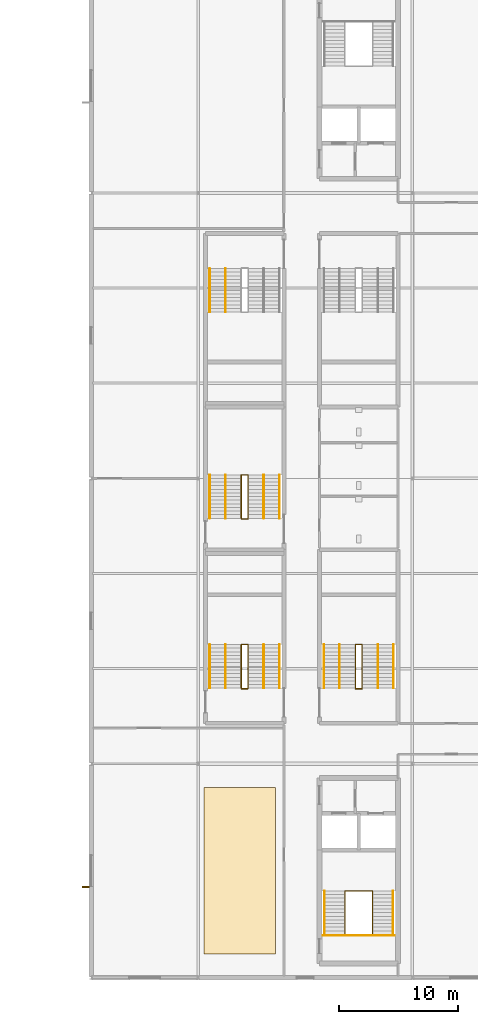
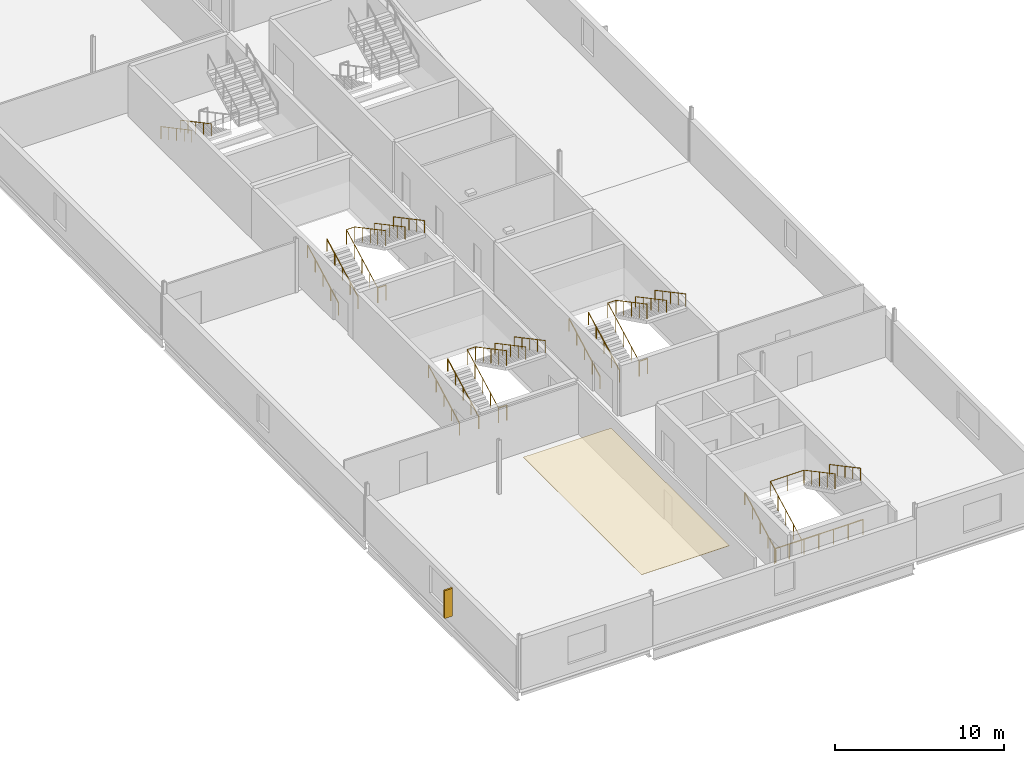
# One storey, part 33 of 35: 24 railings, 1 covering, 1 shading device.
"""IFC4 building model written with IfcOpenShell, lengths in metres."""

import ifcopenshell
import ifcopenshell.guid

model = None  # the IFC model being written
_history = None  # IfcOwnerHistory: only IFC2X3 demands one
_inside = {}  # id of a spatial element -> (the spatial element, [elements in it])
_under = {}  # id of a project, library or spatial element -> (it, [spatial elements below it])
_declared = {}  # id of a project -> (the project, [libraries it declares])
_typed = {}  # id of a type object -> (the type object, [elements of that type])
_made_of = {}  # id of a material, layer set ... -> (it, [elements and type objects made of it])


def new_model(schema):
    """Start an empty IFC model of exactly this schema.

    Asked for "IFC4X3", IfcOpenShell would pick the latest addendum, in which some entities
    have other attributes; the version numbers below select the first issue.
    IFC2X3 requires an IfcOwnerHistory on every rooted entity: one is made here for all.
    """
    global model, _history
    if schema == "IFC4X3":
        model = ifcopenshell.file(schema_version=(4, 3, 0, 0))
    else:
        model = ifcopenshell.file(schema=schema)
    _inside.clear()
    _under.clear()
    _declared.clear()
    _typed.clear()
    _made_of.clear()
    _history = None
    if model.schema == "IFC2X3":
        org = make("IfcOrganization", Name="unknown")
        user = make(
            "IfcPersonAndOrganization",
            ThePerson=make("IfcPerson", FamilyName="unknown"),
            TheOrganization=org,
        )
        app = make(
            "IfcApplication",
            ApplicationDeveloper=org,
            Version="unknown",
            ApplicationFullName="unknown",
            ApplicationIdentifier="unknown",
        )
        _history = make(
            "IfcOwnerHistory",
            OwningUser=user,
            OwningApplication=app,
            ChangeAction="ADDED",
            CreationDate=0,
        )
    return model


def make(cls, **values):
    """One entity of the class cls with the attributes given. An attribute that is None is left unset."""
    return model.create_entity(
        cls, **{name: value for name, value in values.items() if value is not None}
    )


def rooted(cls, **values):
    """An entity with a GlobalId (a new one), such as an element, a storey or a relation."""
    return make(cls, GlobalId=ifcopenshell.guid.new(), OwnerHistory=_history, **values)


def si_unit(unit_type, name, prefix=None):
    """IfcSIUnit, for example si_unit("LENGTHUNIT", "METRE", prefix="MILLI")."""
    return make("IfcSIUnit", UnitType=unit_type, Prefix=prefix, Name=name)


def assignment(units):
    """IfcUnitAssignment: the units of a project."""
    return None if units is None else make("IfcUnitAssignment", Units=units)


def point(xyz):
    """IfcCartesianPoint."""
    return None if xyz is None else make("IfcCartesianPoint", Coordinates=xyz)


def direction(xyz):
    """IfcDirection."""
    return None if xyz is None else make("IfcDirection", DirectionRatios=xyz)


def frame(location, z_axis=None, x_axis=None):
    """IfcAxis2Placement3D, a coordinate frame: its origin and axes. An axis left out is left unset."""
    return make(
        "IfcAxis2Placement3D",
        Location=point(location),
        Axis=direction(z_axis),
        RefDirection=direction(x_axis),
    )


def frame_2d(location, x_axis=None):
    """IfcAxis2Placement2D, a coordinate frame in the plane: its origin and x axis."""
    return make(
        "IfcAxis2Placement2D", Location=point(location), RefDirection=direction(x_axis)
    )


def origin():
    """The frame at (0, 0, 0) with its axes left unset."""
    return frame((0.0, 0.0, 0.0))


def origin_2d():
    """The frame at (0, 0) in the plane with its x axis left unset."""
    return frame_2d((0.0, 0.0))


def place(relative_to, where):
    """IfcLocalPlacement: puts the frame where relative to a parent placement (None: the world)."""
    return make(
        "IfcLocalPlacement", PlacementRelTo=relative_to, RelativePlacement=where
    )


def context(
    kind, dimensions, precision=None, world=None, true_north=None, identifier=None
):
    """IfcGeometricRepresentationContext, for example the 3D "Model" context."""
    return make(
        "IfcGeometricRepresentationContext",
        ContextIdentifier=identifier,
        ContextType=kind,
        CoordinateSpaceDimension=dimensions,
        Precision=precision,
        WorldCoordinateSystem=world,
        TrueNorth=true_north,
    )


def subcontext(parent, identifier, kind, view, scale=None):
    """IfcGeometricRepresentationSubContext, for example "Body" below "Model"."""
    return make(
        "IfcGeometricRepresentationSubContext",
        ContextIdentifier=identifier,
        ContextType=kind,
        ParentContext=parent,
        TargetScale=scale,
        TargetView=view,
    )


def project(units=None, contexts=None):
    """IfcProject with its units and contexts."""
    return rooted(
        "IfcProject",
        Name="project",
        RepresentationContexts=contexts,
        UnitsInContext=assignment(units),
    )


def spatial(cls, under=None, at=None, **own):
    """A site, building, storey or space (cls), placed at a placement, below another one or the project."""
    s = rooted(cls, ObjectPlacement=at, **own)
    if under is not None:
        _under.setdefault(under.id(), (under, []))[1].append(s)
    return s


def polyline(points):
    """IfcPolyline through the points."""
    return make("IfcPolyline", Points=[point(p) for p in points])


def profile(cls, at=None, kind="AREA", **sizes):
    """A parametric profile (cls). Its sizes go by their IFC names, for example OverallWidth=200.0."""
    return make(cls, ProfileType=kind, Position=at, **sizes)


def rectangle(**sizes):
    """IfcRectangleProfileDef."""
    return profile("IfcRectangleProfileDef", **sizes)


def circle(**sizes):
    """IfcCircleProfileDef."""
    return profile("IfcCircleProfileDef", **sizes)


def outline(outer, holes=None, kind="AREA"):
    """IfcArbitraryClosedProfileDef: a profile drawn as a closed curve; with holes, ...WithVoids."""
    if holes is None:
        return make("IfcArbitraryClosedProfileDef", ProfileType=kind, OuterCurve=outer)
    return make(
        "IfcArbitraryProfileDefWithVoids",
        ProfileType=kind,
        OuterCurve=outer,
        InnerCurves=holes,
    )


def extrude(swept, where, along, depth):
    """IfcExtrudedAreaSolid: the profile swept, set in the frame where, extruded along a direction by depth."""
    return make(
        "IfcExtrudedAreaSolid",
        SweptArea=swept,
        Position=where,
        ExtrudedDirection=direction(along),
        Depth=depth,
    )


def shape(context_of_items, identifier, shape_type, items):
    """IfcShapeRepresentation: the items that make up one representation, for example the "Body"."""
    return make(
        "IfcShapeRepresentation",
        ContextOfItems=context_of_items,
        RepresentationIdentifier=identifier,
        RepresentationType=shape_type,
        Items=items,
    )


def material(Name=None, Category=None):
    """IfcMaterial."""
    return make("IfcMaterial", Name=Name, Category=Category)


def layer(
    of_material, thickness, ventilated=None, Name=None, Category=None, Priority=None
):
    """IfcMaterialLayer: one layer of a wall or slab, of a material (None: an air gap)."""
    return make(
        "IfcMaterialLayer",
        Material=of_material,
        LayerThickness=thickness,
        IsVentilated=ventilated,
        Name=Name,
        Category=Category,
        Priority=Priority,
    )


def layer_set(layers, Name=None):
    """IfcMaterialLayerSet."""
    return make("IfcMaterialLayerSet", MaterialLayers=layers, LayerSetName=Name)


def made_of(thing, what):
    """Note that an element or type object is made of a material, layer set ...; save() writes the relation."""
    if what is not None:
        _made_of.setdefault(what.id(), (what, []))[1].append(thing)
    return thing


def type_object(cls, material=None, **own):
    """A type object (cls), such as IfcWallType, which elements share."""
    return made_of(rooted(cls, **own), material)


def element(
    cls,
    number,
    at=None,
    inside=None,
    cuts=None,
    type_object=None,
    material=None,
    context=None,
    identifier="Body",
    shape_type=None,
    held_by="IfcProductDefinitionShape",
    body=None,
    shapes=None,
    **own,
):
    """One element of the class cls, such as IfcWall. Its Tag is "e" and its number.

    at: its placement. inside: the storey or other place that contains it. cuts: it is an
    opening in that element (IfcRelVoidsElement). A single representation is given by context,
    identifier, shape_type and body (its items); several are given by shapes. held_by: the class
    of the entity that holds the representations. save() writes the other relations.
    """
    e = rooted(cls, Tag="e%d" % number, ObjectPlacement=at, **own)
    if body is not None:
        shapes = [shape(context, identifier, shape_type, body)]
    if shapes is not None:
        e.Representation = make(held_by, Representations=shapes)
    if inside is not None:
        _inside.setdefault(inside.id(), (inside, []))[1].append(e)
    if cuts is not None:
        rooted(
            "IfcRelVoidsElement", RelatingBuildingElement=cuts, RelatedOpeningElement=e
        )
    if type_object is not None:
        _typed.setdefault(type_object.id(), (type_object, []))[1].append(e)
    return made_of(e, material)


def aggregate(whole, parts):
    """IfcRelAggregates: a whole, such as a stair, and the parts it consists of."""
    return rooted("IfcRelAggregates", RelatingObject=whole, RelatedObjects=parts)


def save(model, path):
    """Write the relations noted so far, then the file.

    IfcRelAggregates (storeys below a building ...), IfcRelContainedInSpatialStructure (elements
    in a storey), IfcRelDefinesByType, IfcRelAssociatesMaterial and IfcRelDeclares: one each for
    every whole, place, type object, material and project.
    """
    for whole, parts in _under.values():
        aggregate(whole, parts)
    for where, things in _inside.values():
        rooted(
            "IfcRelContainedInSpatialStructure",
            RelatedElements=things,
            RelatingStructure=where,
        )
    for kind, things in _typed.values():
        rooted("IfcRelDefinesByType", RelatedObjects=things, RelatingType=kind)
    for what, things in _made_of.values():
        rooted("IfcRelAssociatesMaterial", RelatedObjects=things, RelatingMaterial=what)
    for by, libraries in _declared.values():
        rooted("IfcRelDeclares", RelatingContext=by, RelatedDefinitions=libraries)
    model.write(path)


model = new_model("IFC4")

# Units and contexts
model_context = context("Model", 3, precision=1e-05, world=origin(), true_north=direction((0.0, 1.0)))
body_context = subcontext(model_context, "Body", "Model", "MODEL_VIEW")
ifc_project = project(units=[si_unit("LENGTHUNIT", "METRE"), si_unit("AREAUNIT", "SQUARE_METRE"), si_unit("VOLUMEUNIT", "CUBIC_METRE"), si_unit("PLANEANGLEUNIT", "RADIAN"), si_unit("MASSUNIT", "GRAM", prefix="KILO")], contexts=[model_context])

# Site, building, storey
site_placement = place(None, origin())
site = spatial("IfcSite", under=ifc_project, at=site_placement, CompositionType="ELEMENT")
building_placement = place(site_placement, origin())
building = spatial("IfcBuilding", under=site, at=building_placement, Name="Kisiwana Market Hall", CompositionType="ELEMENT")
storey_placement = place(building_placement, frame((0.0, 0.0, 57.89990234375)))
storey = spatial("IfcBuildingStorey", under=building, at=storey_placement, Name="L13", CompositionType="ELEMENT", Elevation=57.89990234375)

# Covering
ifc_material_1 = material(Name="Mineral-fibre acoustic ceiling board")
ifc_layer = layer(ifc_material_1, 0.02490234375)
ifc_layer_set = layer_set([ifc_layer], Name="COV-CEIL-AC")
covering_type = type_object("IfcCoveringType", Name="COV-CEIL-AC", PredefinedType="CEILING", material=ifc_layer_set)
covering_placement = place(storey_placement, frame((0.0, 0.0, 3.630126953125)))
element("IfcCovering", 1, at=covering_placement, inside=storey, type_object=covering_type, Name="Acoustic ceiling grid L13-030", PredefinedType="CEILING", context=body_context, shape_type="SweptSolid", body=[
    extrude(outline(polyline([(171.5, 20.0), (177.5, 20.0), (177.5, 34.0), (171.5, 34.0), (171.5, 20.0)])), origin(), (0.0, 0.0, 1.0), 0.02490234375),
])

# Railings
ifc_material_2 = material(Name="Steel S275", Category="steel")
railing_type_1 = type_object("IfcRailingType", Name="RL-GUARD-1100", PredefinedType="GUARDRAIL", material=ifc_material_2)
railing_1_placement = place(storey_placement, frame((183.35009765625, 21.6494140625, 0.0)))
element("IfcRailing", 2, at=railing_1_placement, inside=storey, type_object=railing_type_1, Name="Stair ST-E2-L13 inner-well guardrail (RL-1519)", PredefinedType="GUARDRAIL", context=body_context, shape_type="SweptSolid", body=[
    extrude(circle(Radius=0.02392578125, at=origin_2d()), frame((0.0, 0.0, 1.076171875), z_axis=(0.0, 0.882541897885, 0.470233770031), x_axis=(-1.0, 0.0, 0.0)), (0.0, 0.0, 1.0), 4.147216796875),
    extrude(circle(Radius=0.02392578125, at=origin_2d()), frame((0.0, 3.66015625, 3.0263671875), z_axis=(1.0, 0.0, 0.0), x_axis=(0.0, 1.0, 0.0)), (0.0, 0.0, 1.0), 2.2998046875),
    extrude(circle(Radius=0.02392578125, at=origin_2d()), frame((2.2998046875, 3.66015625, 3.0263671875), z_axis=(0.0, -0.882566327451, 0.470187917379), x_axis=(1.0, 0.0, 0.0)), (0.0, 0.0, 1.0), 4.147216796875),
    extrude(circle(Radius=0.02099609375, at=origin_2d()), origin(), (0.0, 0.0, 1.0), 1.052001953125),
    extrude(circle(Radius=0.02099609375, at=origin_2d()), frame((0.0, 0.9150390625, 0.487548828125)), (0.0, 0.0, 1.0), 1.052001953125),
    extrude(circle(Radius=0.02099609375, at=origin_2d()), frame((0.0, 1.830078125, 0.97509765625)), (0.0, 0.0, 1.0), 1.052001953125),
    extrude(circle(Radius=0.02099609375, at=origin_2d()), frame((0.0, 2.7451171875, 1.462646484375)), (0.0, 0.0, 1.0), 1.052001953125),
    extrude(circle(Radius=0.02099609375, at=origin_2d()), frame((0.0, 3.66015625, 1.9501953125)), (0.0, 0.0, 1.0), 1.052001953125),
    extrude(circle(Radius=0.02099609375, at=origin_2d()), frame((1.14990234375, 3.66015625, 1.9501953125)), (0.0, 0.0, 1.0), 1.052001953125),
    extrude(circle(Radius=0.02099609375, at=origin_2d()), frame((2.2998046875, 3.66015625, 1.9501953125)), (0.0, 0.0, 1.0), 1.052001953125),
    extrude(circle(Radius=0.02099609375, at=origin_2d()), frame((2.2998046875, 2.7451171875, 2.437744140625)), (0.0, 0.0, 1.0), 1.052001953125),
    extrude(circle(Radius=0.02099609375, at=origin_2d()), frame((2.2998046875, 1.830078125, 2.92529296875)), (0.0, 0.0, 1.0), 1.052001953125),
    extrude(circle(Radius=0.02099609375, at=origin_2d()), frame((2.2998046875, 0.9150390625, 3.41259765625)), (0.0, 0.0, 1.0), 1.052001953125),
    extrude(circle(Radius=0.02099609375, at=origin_2d()), frame((2.2998046875, 0.0, 3.900146484375)), (0.0, 0.0, 1.0), 1.052001953125),
])
railing_2_placement = place(storey_placement, frame((181.47998046875, 21.569580078125, 0.0)))
element("IfcRailing", 3, at=railing_2_placement, inside=storey, type_object=railing_type_1, Name="Stair ST-E2-L13 landing edge guardrail (RL-1522)", PredefinedType="GUARDRAIL", context=body_context, shape_type="SweptSolid", body=[
    extrude(circle(Radius=0.02392578125, at=origin_2d()), frame((0.0, 0.0, 1.076171875), z_axis=(1.0, 0.0, 0.0), x_axis=(0.0, 1.0, 0.0)), (0.0, 0.0, 1.0), 6.0400390625),
    extrude(circle(Radius=0.02099609375, at=origin_2d()), origin(), (0.0, 0.0, 1.0), 1.052001953125),
    extrude(circle(Radius=0.02099609375, at=origin_2d()), frame((1.006591796875, 0.0, 0.0)), (0.0, 0.0, 1.0), 1.052001953125),
    extrude(circle(Radius=0.02099609375, at=origin_2d()), frame((2.013427734375, 0.0, 0.0)), (0.0, 0.0, 1.0), 1.052001953125),
    extrude(circle(Radius=0.02099609375, at=origin_2d()), frame((3.02001953125, 0.0, 0.0)), (0.0, 0.0, 1.0), 1.052001953125),
    extrude(circle(Radius=0.02099609375, at=origin_2d()), frame((4.026611328125, 0.0, 0.0)), (0.0, 0.0, 1.0), 1.052001953125),
    extrude(circle(Radius=0.02099609375, at=origin_2d()), frame((5.033447265625, 0.0, 0.0)), (0.0, 0.0, 1.0), 1.052001953125),
    extrude(circle(Radius=0.02099609375, at=origin_2d()), frame((6.0400390625, 0.0, 0.0)), (0.0, 0.0, 1.0), 1.052001953125),
])
railing_3_placement = place(storey_placement, frame((184.219970703125, 42.360107421875, 0.0)))
element("IfcRailing", 4, at=railing_3_placement, inside=storey, type_object=railing_type_1, Name="Stair ST-E3-L13 inner-well guardrail (RL-1539)", PredefinedType="GUARDRAIL", context=body_context, shape_type="SweptSolid", body=[
    extrude(circle(Radius=0.02392578125, at=origin_2d()), frame((0.0, 0.0, 1.076171875), z_axis=(0.0, 0.882528880096, 0.470258201201), x_axis=(-1.0, 0.0, 0.0)), (0.0, 0.0, 1.0), 4.14697265625),
    extrude(circle(Radius=0.02392578125, at=origin_2d()), frame((0.0, 3.659912109375, 3.0263671875), z_axis=(1.0, 0.0, 0.0), x_axis=(0.0, 1.0, 0.0)), (0.0, 0.0, 1.0), 0.56005859375),
    extrude(circle(Radius=0.02392578125, at=origin_2d()), frame((0.56005859375, 3.659912109375, 3.0263671875), z_axis=(0.0, -0.88255331184, 0.47021234752), x_axis=(1.0, 0.0, 0.0)), (0.0, 0.0, 1.0), 4.14697265625),
    extrude(circle(Radius=0.02099609375, at=origin_2d()), origin(), (0.0, 0.0, 1.0), 1.052001953125),
    extrude(circle(Radius=0.02099609375, at=origin_2d()), frame((0.0, 0.9150390625, 0.487548828125)), (0.0, 0.0, 1.0), 1.052001953125),
    extrude(circle(Radius=0.02099609375, at=origin_2d()), frame((0.0, 1.830078125, 0.97509765625)), (0.0, 0.0, 1.0), 1.052001953125),
    extrude(circle(Radius=0.02099609375, at=origin_2d()), frame((0.0, 2.744873046875, 1.462646484375)), (0.0, 0.0, 1.0), 1.052001953125),
    extrude(circle(Radius=0.02099609375, at=origin_2d()), frame((0.0, 3.659912109375, 1.9501953125)), (0.0, 0.0, 1.0), 1.052001953125),
    extrude(circle(Radius=0.02099609375, at=origin_2d()), frame((0.56005859375, 3.659912109375, 1.9501953125)), (0.0, 0.0, 1.0), 1.052001953125),
    extrude(circle(Radius=0.02099609375, at=origin_2d()), frame((0.56005859375, 2.744873046875, 2.437744140625)), (0.0, 0.0, 1.0), 1.052001953125),
    extrude(circle(Radius=0.02099609375, at=origin_2d()), frame((0.56005859375, 1.830078125, 2.92529296875)), (0.0, 0.0, 1.0), 1.052001953125),
    extrude(circle(Radius=0.02099609375, at=origin_2d()), frame((0.56005859375, 0.9150390625, 3.41259765625)), (0.0, 0.0, 1.0), 1.052001953125),
    extrude(circle(Radius=0.02099609375, at=origin_2d()), frame((0.56005859375, 0.0, 3.900146484375)), (0.0, 0.0, 1.0), 1.052001953125),
])
railing_4_placement = place(storey_placement, frame((184.219970703125, 42.31005859375, 0.0)))
element("IfcRailing", 5, at=railing_4_placement, inside=storey, type_object=railing_type_1, Name="Stair ST-E3-L13 landing edge guardrail (RL-1544)", PredefinedType="GUARDRAIL", context=body_context, shape_type="SweptSolid", body=[
    extrude(circle(Radius=0.02392578125, at=origin_2d()), frame((0.0, 0.0, 1.076171875), z_axis=(1.0, 0.0, 0.0), x_axis=(0.0, 1.0, 0.0)), (0.0, 0.0, 1.0), 0.56005859375),
    extrude(circle(Radius=0.02099609375, at=origin_2d()), origin(), (0.0, 0.0, 1.0), 1.052001953125),
    extrude(circle(Radius=0.02099609375, at=origin_2d()), frame((0.56005859375, 0.0, 0.0)), (0.0, 0.0, 1.0), 1.052001953125),
])
railing_5_placement = place(storey_placement, frame((174.6201171875, 42.360107421875, 0.0)))
element("IfcRailing", 6, at=railing_5_placement, inside=storey, type_object=railing_type_1, Name="Stair ST-E7-L13 inner-well guardrail (RL-1557)", PredefinedType="GUARDRAIL", context=body_context, shape_type="SweptSolid", body=[
    extrude(circle(Radius=0.02392578125, at=origin_2d()), frame((0.0, 0.0, 1.076171875), z_axis=(0.0, 0.882528880096, 0.470258201201), x_axis=(-1.0, 0.0, 0.0)), (0.0, 0.0, 1.0), 4.14697265625),
    extrude(circle(Radius=0.02392578125, at=origin_2d()), frame((0.0, 3.659912109375, 3.0263671875), z_axis=(1.0, 0.0, 0.0), x_axis=(0.0, 1.0, 0.0)), (0.0, 0.0, 1.0), 0.559814453125),
    extrude(circle(Radius=0.02392578125, at=origin_2d()), frame((0.559814453125, 3.659912109375, 3.0263671875), z_axis=(0.0, -0.88255331184, 0.47021234752), x_axis=(1.0, 0.0, 0.0)), (0.0, 0.0, 1.0), 4.14697265625),
    extrude(circle(Radius=0.02099609375, at=origin_2d()), origin(), (0.0, 0.0, 1.0), 1.052001953125),
    extrude(circle(Radius=0.02099609375, at=origin_2d()), frame((0.0, 0.9150390625, 0.487548828125)), (0.0, 0.0, 1.0), 1.052001953125),
    extrude(circle(Radius=0.02099609375, at=origin_2d()), frame((0.0, 1.830078125, 0.97509765625)), (0.0, 0.0, 1.0), 1.052001953125),
    extrude(circle(Radius=0.02099609375, at=origin_2d()), frame((0.0, 2.744873046875, 1.462646484375)), (0.0, 0.0, 1.0), 1.052001953125),
    extrude(circle(Radius=0.02099609375, at=origin_2d()), frame((0.0, 3.659912109375, 1.9501953125)), (0.0, 0.0, 1.0), 1.052001953125),
    extrude(circle(Radius=0.02099609375, at=origin_2d()), frame((0.559814453125, 3.659912109375, 1.9501953125)), (0.0, 0.0, 1.0), 1.052001953125),
    extrude(circle(Radius=0.02099609375, at=origin_2d()), frame((0.559814453125, 2.744873046875, 2.437744140625)), (0.0, 0.0, 1.0), 1.052001953125),
    extrude(circle(Radius=0.02099609375, at=origin_2d()), frame((0.559814453125, 1.830078125, 2.92529296875)), (0.0, 0.0, 1.0), 1.052001953125),
    extrude(circle(Radius=0.02099609375, at=origin_2d()), frame((0.559814453125, 0.9150390625, 3.41259765625)), (0.0, 0.0, 1.0), 1.052001953125),
    extrude(circle(Radius=0.02099609375, at=origin_2d()), frame((0.559814453125, 0.0, 3.900146484375)), (0.0, 0.0, 1.0), 1.052001953125),
])
railing_6_placement = place(storey_placement, frame((174.6201171875, 42.31005859375, 0.0)))
element("IfcRailing", 7, at=railing_6_placement, inside=storey, type_object=railing_type_1, Name="Stair ST-E7-L13 landing edge guardrail (RL-1562)", PredefinedType="GUARDRAIL", context=body_context, shape_type="SweptSolid", body=[
    extrude(circle(Radius=0.02392578125, at=origin_2d()), frame((0.0, 0.0, 1.076171875), z_axis=(1.0, 0.0, 0.0), x_axis=(0.0, 1.0, 0.0)), (0.0, 0.0, 1.0), 0.559814453125),
    extrude(circle(Radius=0.02099609375, at=origin_2d()), origin(), (0.0, 0.0, 1.0), 1.052001953125),
    extrude(circle(Radius=0.02099609375, at=origin_2d()), frame((0.559814453125, 0.0, 0.0)), (0.0, 0.0, 1.0), 1.052001953125),
])
railing_7_placement = place(storey_placement, frame((174.6201171875, 56.639892578125, 0.0)))
element("IfcRailing", 8, at=railing_7_placement, inside=storey, type_object=railing_type_1, Name="Stair ST-E5-L13 inner-well guardrail (RL-1581)", PredefinedType="GUARDRAIL", context=body_context, shape_type="SweptSolid", body=[
    extrude(circle(Radius=0.02392578125, at=origin_2d()), frame((0.0, 0.0, 1.076171875), z_axis=(0.0, 0.882541897885, 0.470233770031), x_axis=(-1.0, 0.0, 0.0)), (0.0, 0.0, 1.0), 4.147216796875),
    extrude(circle(Radius=0.02392578125, at=origin_2d()), frame((0.0, 3.66015625, 3.0263671875), z_axis=(1.0, 0.0, 0.0), x_axis=(0.0, 1.0, 0.0)), (0.0, 0.0, 1.0), 0.559814453125),
    extrude(circle(Radius=0.02392578125, at=origin_2d()), frame((0.559814453125, 3.66015625, 3.0263671875), z_axis=(0.0, -0.882566327451, 0.470187917379), x_axis=(1.0, 0.0, 0.0)), (0.0, 0.0, 1.0), 4.147216796875),
    extrude(circle(Radius=0.02099609375, at=origin_2d()), origin(), (0.0, 0.0, 1.0), 1.052001953125),
    extrude(circle(Radius=0.02099609375, at=origin_2d()), frame((0.0, 0.9150390625, 0.487548828125)), (0.0, 0.0, 1.0), 1.052001953125),
    extrude(circle(Radius=0.02099609375, at=origin_2d()), frame((0.0, 1.830078125, 0.97509765625)), (0.0, 0.0, 1.0), 1.052001953125),
    extrude(circle(Radius=0.02099609375, at=origin_2d()), frame((0.0, 2.7451171875, 1.462646484375)), (0.0, 0.0, 1.0), 1.052001953125),
    extrude(circle(Radius=0.02099609375, at=origin_2d()), frame((0.0, 3.66015625, 1.9501953125)), (0.0, 0.0, 1.0), 1.052001953125),
    extrude(circle(Radius=0.02099609375, at=origin_2d()), frame((0.559814453125, 3.66015625, 1.9501953125)), (0.0, 0.0, 1.0), 1.052001953125),
    extrude(circle(Radius=0.02099609375, at=origin_2d()), frame((0.559814453125, 2.7451171875, 2.437744140625)), (0.0, 0.0, 1.0), 1.052001953125),
    extrude(circle(Radius=0.02099609375, at=origin_2d()), frame((0.559814453125, 1.830078125, 2.92529296875)), (0.0, 0.0, 1.0), 1.052001953125),
    extrude(circle(Radius=0.02099609375, at=origin_2d()), frame((0.559814453125, 0.9150390625, 3.41259765625)), (0.0, 0.0, 1.0), 1.052001953125),
    extrude(circle(Radius=0.02099609375, at=origin_2d()), frame((0.559814453125, 0.0, 3.900146484375)), (0.0, 0.0, 1.0), 1.052001953125),
])
railing_8_placement = place(storey_placement, frame((174.6201171875, 56.590087890625, 0.0)))
element("IfcRailing", 9, at=railing_8_placement, inside=storey, type_object=railing_type_1, Name="Stair ST-E5-L13 landing edge guardrail (RL-1586)", PredefinedType="GUARDRAIL", context=body_context, shape_type="SweptSolid", body=[
    extrude(circle(Radius=0.02392578125, at=origin_2d()), frame((0.0, 0.0, 1.076171875), z_axis=(1.0, 0.0, 0.0), x_axis=(0.0, 1.0, 0.0)), (0.0, 0.0, 1.0), 0.559814453125),
    extrude(circle(Radius=0.02099609375, at=origin_2d()), origin(), (0.0, 0.0, 1.0), 1.052001953125),
    extrude(circle(Radius=0.02099609375, at=origin_2d()), frame((0.559814453125, 0.0, 0.0)), (0.0, 0.0, 1.0), 1.052001953125),
])
ifc_material_3 = material(Name="Steel S275", Category="steel")
railing_type_2 = type_object("IfcRailingType", Name="RL-HAND-900", PredefinedType="HANDRAIL", material=ifc_material_3)
railing_9_placement = place(storey_placement, frame((181.610107421875, 21.6494140625, 0.0)))
element("IfcRailing", 10, at=railing_9_placement, inside=storey, type_object=railing_type_2, Name="Stair ST-E2-L13 flight 1 handrail (RL-1520)", PredefinedType="HANDRAIL", context=body_context, shape_type="SweptSolid", body=[
    extrude(circle(Radius=0.02392578125, at=origin_2d()), frame((0.0, 0.0, 0.8759765625), z_axis=(0.0, 0.882541897885, 0.470233770031), x_axis=(-1.0, 0.0, 0.0)), (0.0, 0.0, 1.0), 4.147216796875),
    extrude(circle(Radius=0.02099609375, at=origin_2d()), origin(), (0.0, 0.0, 1.0), 0.851806640625),
    extrude(circle(Radius=0.02099609375, at=origin_2d()), frame((0.0, 0.9150390625, 0.487548828125)), (0.0, 0.0, 1.0), 0.851806640625),
    extrude(circle(Radius=0.02099609375, at=origin_2d()), frame((0.0, 1.830078125, 0.97509765625)), (0.0, 0.0, 1.0), 0.851806640625),
    extrude(circle(Radius=0.02099609375, at=origin_2d()), frame((0.0, 2.7451171875, 1.462646484375)), (0.0, 0.0, 1.0), 0.851806640625),
    extrude(circle(Radius=0.02099609375, at=origin_2d()), frame((0.0, 3.66015625, 1.9501953125)), (0.0, 0.0, 1.0), 0.851806640625),
])
railing_10_placement = place(storey_placement, frame((187.389892578125, 25.3095703125, 1.9501953125)))
element("IfcRailing", 11, at=railing_10_placement, inside=storey, type_object=railing_type_2, Name="Stair ST-E2-L13 flight 2 handrail (RL-1521)", PredefinedType="HANDRAIL", context=body_context, shape_type="SweptSolid", body=[
    extrude(circle(Radius=0.02392578125, at=origin_2d()), frame((0.0, 0.0, 0.8759765625), z_axis=(0.0, -0.882566327451, 0.470187917379), x_axis=(1.0, 0.0, 0.0)), (0.0, 0.0, 1.0), 4.147216796875),
    extrude(circle(Radius=0.02099609375, at=origin_2d()), origin(), (0.0, 0.0, 1.0), 0.851806640625),
    extrude(circle(Radius=0.02099609375, at=origin_2d()), frame((0.0, -0.9150390625, 0.487548828125)), (0.0, 0.0, 1.0), 0.851806640625),
    extrude(circle(Radius=0.02099609375, at=origin_2d()), frame((0.0, -1.830078125, 0.97509765625)), (0.0, 0.0, 1.0), 0.851806640625),
    extrude(circle(Radius=0.02099609375, at=origin_2d()), frame((0.0, -2.7451171875, 1.46240234375)), (0.0, 0.0, 1.0), 0.851806640625),
    extrude(circle(Radius=0.02099609375, at=origin_2d()), frame((0.0, -3.66015625, 1.949951171875)), (0.0, 0.0, 1.0), 0.851806640625),
])
railing_11_placement = place(storey_placement, frame((181.570068359375, 42.360107421875, 0.0)))
element("IfcRailing", 12, at=railing_11_placement, inside=storey, type_object=railing_type_2, Name="Stair ST-E3-L13 flight 1 handrail (RL-1540)", PredefinedType="HANDRAIL", context=body_context, shape_type="SweptSolid", body=[
    extrude(circle(Radius=0.02392578125, at=origin_2d()), frame((0.0, 0.0, 0.8759765625), z_axis=(0.0, 0.882528880096, 0.470258201201), x_axis=(-1.0, 0.0, 0.0)), (0.0, 0.0, 1.0), 4.14697265625),
    extrude(circle(Radius=0.02099609375, at=origin_2d()), origin(), (0.0, 0.0, 1.0), 0.851806640625),
    extrude(circle(Radius=0.02099609375, at=origin_2d()), frame((0.0, 0.9150390625, 0.487548828125)), (0.0, 0.0, 1.0), 0.851806640625),
    extrude(circle(Radius=0.02099609375, at=origin_2d()), frame((0.0, 1.830078125, 0.97509765625)), (0.0, 0.0, 1.0), 0.851806640625),
    extrude(circle(Radius=0.02099609375, at=origin_2d()), frame((0.0, 2.744873046875, 1.462646484375)), (0.0, 0.0, 1.0), 0.851806640625),
    extrude(circle(Radius=0.02099609375, at=origin_2d()), frame((0.0, 3.659912109375, 1.9501953125)), (0.0, 0.0, 1.0), 0.851806640625),
])
railing_12_placement = place(storey_placement, frame((187.429931640625, 46.02001953125, 1.9501953125)))
element("IfcRailing", 13, at=railing_12_placement, inside=storey, type_object=railing_type_2, Name="Stair ST-E3-L13 flight 2 handrail (RL-1541)", PredefinedType="HANDRAIL", context=body_context, shape_type="SweptSolid", body=[
    extrude(circle(Radius=0.02392578125, at=origin_2d()), frame((0.0, 0.0, 0.8759765625), z_axis=(0.0, -0.88255331184, 0.47021234752), x_axis=(1.0, 0.0, 0.0)), (0.0, 0.0, 1.0), 4.14697265625),
    extrude(circle(Radius=0.02099609375, at=origin_2d()), origin(), (0.0, 0.0, 1.0), 0.851806640625),
    extrude(circle(Radius=0.02099609375, at=origin_2d()), frame((0.0, -0.9150390625, 0.487548828125)), (0.0, 0.0, 1.0), 0.851806640625),
    extrude(circle(Radius=0.02099609375, at=origin_2d()), frame((0.0, -1.830078125, 0.97509765625)), (0.0, 0.0, 1.0), 0.851806640625),
    extrude(circle(Radius=0.02099609375, at=origin_2d()), frame((0.0, -2.744873046875, 1.46240234375)), (0.0, 0.0, 1.0), 0.851806640625),
    extrude(circle(Radius=0.02099609375, at=origin_2d()), frame((0.0, -3.659912109375, 1.949951171875)), (0.0, 0.0, 1.0), 0.851806640625),
])
railing_13_placement = place(storey_placement, frame((182.889892578125, 42.360107421875, 0.0)))
element("IfcRailing", 14, at=railing_13_placement, inside=storey, type_object=railing_type_2, Name="Stair ST-E3-L13 flight 1 intermediate handrail (RL-1542)", PredefinedType="HANDRAIL", context=body_context, shape_type="SweptSolid", body=[
    extrude(circle(Radius=0.02392578125, at=origin_2d()), frame((0.0, 0.0, 0.8759765625), z_axis=(0.0, 0.882528880096, 0.470258201201), x_axis=(-1.0, 0.0, 0.0)), (0.0, 0.0, 1.0), 4.14697265625),
    extrude(circle(Radius=0.02099609375, at=origin_2d()), origin(), (0.0, 0.0, 1.0), 0.851806640625),
    extrude(circle(Radius=0.02099609375, at=origin_2d()), frame((0.0, 0.9150390625, 0.487548828125)), (0.0, 0.0, 1.0), 0.851806640625),
    extrude(circle(Radius=0.02099609375, at=origin_2d()), frame((0.0, 1.830078125, 0.97509765625)), (0.0, 0.0, 1.0), 0.851806640625),
    extrude(circle(Radius=0.02099609375, at=origin_2d()), frame((0.0, 2.744873046875, 1.462646484375)), (0.0, 0.0, 1.0), 0.851806640625),
    extrude(circle(Radius=0.02099609375, at=origin_2d()), frame((0.0, 3.659912109375, 1.9501953125)), (0.0, 0.0, 1.0), 0.851806640625),
])
railing_14_placement = place(storey_placement, frame((186.110107421875, 46.02001953125, 1.9501953125)))
element("IfcRailing", 15, at=railing_14_placement, inside=storey, type_object=railing_type_2, Name="Stair ST-E3-L13 flight 2 intermediate handrail (RL-1543)", PredefinedType="HANDRAIL", context=body_context, shape_type="SweptSolid", body=[
    extrude(circle(Radius=0.02392578125, at=origin_2d()), frame((0.0, 0.0, 0.8759765625), z_axis=(0.0, -0.88255331184, 0.47021234752), x_axis=(1.0, 0.0, 0.0)), (0.0, 0.0, 1.0), 4.14697265625),
    extrude(circle(Radius=0.02099609375, at=origin_2d()), origin(), (0.0, 0.0, 1.0), 0.851806640625),
    extrude(circle(Radius=0.02099609375, at=origin_2d()), frame((0.0, -0.9150390625, 0.487548828125)), (0.0, 0.0, 1.0), 0.851806640625),
    extrude(circle(Radius=0.02099609375, at=origin_2d()), frame((0.0, -1.830078125, 0.97509765625)), (0.0, 0.0, 1.0), 0.851806640625),
    extrude(circle(Radius=0.02099609375, at=origin_2d()), frame((0.0, -2.744873046875, 1.46240234375)), (0.0, 0.0, 1.0), 0.851806640625),
    extrude(circle(Radius=0.02099609375, at=origin_2d()), frame((0.0, -3.659912109375, 1.949951171875)), (0.0, 0.0, 1.0), 0.851806640625),
])
railing_15_placement = place(storey_placement, frame((171.969970703125, 42.360107421875, 0.0)))
element("IfcRailing", 16, at=railing_15_placement, inside=storey, type_object=railing_type_2, Name="Stair ST-E7-L13 flight 1 handrail (RL-1558)", PredefinedType="HANDRAIL", context=body_context, shape_type="SweptSolid", body=[
    extrude(circle(Radius=0.02392578125, at=origin_2d()), frame((0.0, 0.0, 0.8759765625), z_axis=(0.0, 0.882528880096, 0.470258201201), x_axis=(-1.0, 0.0, 0.0)), (0.0, 0.0, 1.0), 4.14697265625),
    extrude(circle(Radius=0.02099609375, at=origin_2d()), origin(), (0.0, 0.0, 1.0), 0.851806640625),
    extrude(circle(Radius=0.02099609375, at=origin_2d()), frame((0.0, 0.9150390625, 0.487548828125)), (0.0, 0.0, 1.0), 0.851806640625),
    extrude(circle(Radius=0.02099609375, at=origin_2d()), frame((0.0, 1.830078125, 0.97509765625)), (0.0, 0.0, 1.0), 0.851806640625),
    extrude(circle(Radius=0.02099609375, at=origin_2d()), frame((0.0, 2.744873046875, 1.462646484375)), (0.0, 0.0, 1.0), 0.851806640625),
    extrude(circle(Radius=0.02099609375, at=origin_2d()), frame((0.0, 3.659912109375, 1.9501953125)), (0.0, 0.0, 1.0), 0.851806640625),
])
railing_16_placement = place(storey_placement, frame((177.830078125, 46.02001953125, 1.9501953125)))
element("IfcRailing", 17, at=railing_16_placement, inside=storey, type_object=railing_type_2, Name="Stair ST-E7-L13 flight 2 handrail (RL-1559)", PredefinedType="HANDRAIL", context=body_context, shape_type="SweptSolid", body=[
    extrude(circle(Radius=0.02392578125, at=origin_2d()), frame((0.0, 0.0, 0.8759765625), z_axis=(0.0, -0.88255331184, 0.47021234752), x_axis=(1.0, 0.0, 0.0)), (0.0, 0.0, 1.0), 4.14697265625),
    extrude(circle(Radius=0.02099609375, at=origin_2d()), origin(), (0.0, 0.0, 1.0), 0.851806640625),
    extrude(circle(Radius=0.02099609375, at=origin_2d()), frame((0.0, -0.9150390625, 0.487548828125)), (0.0, 0.0, 1.0), 0.851806640625),
    extrude(circle(Radius=0.02099609375, at=origin_2d()), frame((0.0, -1.830078125, 0.97509765625)), (0.0, 0.0, 1.0), 0.851806640625),
    extrude(circle(Radius=0.02099609375, at=origin_2d()), frame((0.0, -2.744873046875, 1.46240234375)), (0.0, 0.0, 1.0), 0.851806640625),
    extrude(circle(Radius=0.02099609375, at=origin_2d()), frame((0.0, -3.659912109375, 1.949951171875)), (0.0, 0.0, 1.0), 0.851806640625),
])
railing_17_placement = place(storey_placement, frame((173.2900390625, 42.360107421875, 0.0)))
element("IfcRailing", 18, at=railing_17_placement, inside=storey, type_object=railing_type_2, Name="Stair ST-E7-L13 flight 1 intermediate handrail (RL-1560)", PredefinedType="HANDRAIL", context=body_context, shape_type="SweptSolid", body=[
    extrude(circle(Radius=0.02392578125, at=origin_2d()), frame((0.0, 0.0, 0.8759765625), z_axis=(0.0, 0.882528880096, 0.470258201201), x_axis=(-1.0, 0.0, 0.0)), (0.0, 0.0, 1.0), 4.14697265625),
    extrude(circle(Radius=0.02099609375, at=origin_2d()), origin(), (0.0, 0.0, 1.0), 0.851806640625),
    extrude(circle(Radius=0.02099609375, at=origin_2d()), frame((0.0, 0.9150390625, 0.487548828125)), (0.0, 0.0, 1.0), 0.851806640625),
    extrude(circle(Radius=0.02099609375, at=origin_2d()), frame((0.0, 1.830078125, 0.97509765625)), (0.0, 0.0, 1.0), 0.851806640625),
    extrude(circle(Radius=0.02099609375, at=origin_2d()), frame((0.0, 2.744873046875, 1.462646484375)), (0.0, 0.0, 1.0), 0.851806640625),
    extrude(circle(Radius=0.02099609375, at=origin_2d()), frame((0.0, 3.659912109375, 1.9501953125)), (0.0, 0.0, 1.0), 0.851806640625),
])
railing_18_placement = place(storey_placement, frame((176.510009765625, 46.02001953125, 1.9501953125)))
element("IfcRailing", 19, at=railing_18_placement, inside=storey, type_object=railing_type_2, Name="Stair ST-E7-L13 flight 2 intermediate handrail (RL-1561)", PredefinedType="HANDRAIL", context=body_context, shape_type="SweptSolid", body=[
    extrude(circle(Radius=0.02392578125, at=origin_2d()), frame((0.0, 0.0, 0.8759765625), z_axis=(0.0, -0.88255331184, 0.47021234752), x_axis=(1.0, 0.0, 0.0)), (0.0, 0.0, 1.0), 4.14697265625),
    extrude(circle(Radius=0.02099609375, at=origin_2d()), origin(), (0.0, 0.0, 1.0), 0.851806640625),
    extrude(circle(Radius=0.02099609375, at=origin_2d()), frame((0.0, -0.9150390625, 0.487548828125)), (0.0, 0.0, 1.0), 0.851806640625),
    extrude(circle(Radius=0.02099609375, at=origin_2d()), frame((0.0, -1.830078125, 0.97509765625)), (0.0, 0.0, 1.0), 0.851806640625),
    extrude(circle(Radius=0.02099609375, at=origin_2d()), frame((0.0, -2.744873046875, 1.46240234375)), (0.0, 0.0, 1.0), 0.851806640625),
    extrude(circle(Radius=0.02099609375, at=origin_2d()), frame((0.0, -3.659912109375, 1.949951171875)), (0.0, 0.0, 1.0), 0.851806640625),
])
for number, where, name in (
    (20, (171.969970703125, 77.639892578125, 0.0), "Stair ST-E8-L13 flight 1 handrail (RL-1570)"),
    (21, (173.2900390625, 77.639892578125, 0.0), "Stair ST-E8-L13 flight 1 intermediate handrail (RL-1572)"),
):
    element("IfcRailing", number, at=place(storey_placement, frame(where)), inside=storey, type_object=railing_type_2, Name=name, PredefinedType="HANDRAIL", context=body_context, shape_type="SweptSolid", body=[
        extrude(circle(Radius=0.02392578125, at=origin_2d()), frame((0.0, 0.0, 0.8759765625), z_axis=(0.0, -0.882528880096, 0.470258201201), x_axis=(1.0, 0.0, 0.0)), (0.0, 0.0, 1.0), 4.14697265625),
        extrude(circle(Radius=0.02099609375, at=origin_2d()), origin(), (0.0, 0.0, 1.0), 0.851806640625),
        extrude(circle(Radius=0.02099609375, at=origin_2d()), frame((0.0, -0.9150390625, 0.487548828125)), (0.0, 0.0, 1.0), 0.851806640625),
        extrude(circle(Radius=0.02099609375, at=origin_2d()), frame((0.0, -1.830078125, 0.97509765625)), (0.0, 0.0, 1.0), 0.851806640625),
        extrude(circle(Radius=0.02099609375, at=origin_2d()), frame((0.0, -2.744873046875, 1.462646484375)), (0.0, 0.0, 1.0), 0.851806640625),
        extrude(circle(Radius=0.02099609375, at=origin_2d()), frame((0.0, -3.659912109375, 1.9501953125)), (0.0, 0.0, 1.0), 0.851806640625),
    ])
railing_19_placement = place(storey_placement, frame((171.969970703125, 56.639892578125, 0.0)))
element("IfcRailing", 22, at=railing_19_placement, inside=storey, type_object=railing_type_2, Name="Stair ST-E5-L13 flight 1 handrail (RL-1582)", PredefinedType="HANDRAIL", context=body_context, shape_type="SweptSolid", body=[
    extrude(circle(Radius=0.02392578125, at=origin_2d()), frame((0.0, 0.0, 0.8759765625), z_axis=(0.0, 0.882541897885, 0.470233770031), x_axis=(-1.0, 0.0, 0.0)), (0.0, 0.0, 1.0), 4.147216796875),
    extrude(circle(Radius=0.02099609375, at=origin_2d()), origin(), (0.0, 0.0, 1.0), 0.851806640625),
    extrude(circle(Radius=0.02099609375, at=origin_2d()), frame((0.0, 0.9150390625, 0.487548828125)), (0.0, 0.0, 1.0), 0.851806640625),
    extrude(circle(Radius=0.02099609375, at=origin_2d()), frame((0.0, 1.830078125, 0.97509765625)), (0.0, 0.0, 1.0), 0.851806640625),
    extrude(circle(Radius=0.02099609375, at=origin_2d()), frame((0.0, 2.7451171875, 1.462646484375)), (0.0, 0.0, 1.0), 0.851806640625),
    extrude(circle(Radius=0.02099609375, at=origin_2d()), frame((0.0, 3.66015625, 1.9501953125)), (0.0, 0.0, 1.0), 0.851806640625),
])
railing_20_placement = place(storey_placement, frame((177.830078125, 60.300048828125, 1.9501953125)))
element("IfcRailing", 23, at=railing_20_placement, inside=storey, type_object=railing_type_2, Name="Stair ST-E5-L13 flight 2 handrail (RL-1583)", PredefinedType="HANDRAIL", context=body_context, shape_type="SweptSolid", body=[
    extrude(circle(Radius=0.02392578125, at=origin_2d()), frame((0.0, 0.0, 0.8759765625), z_axis=(0.0, -0.882566327451, 0.470187917379), x_axis=(1.0, 0.0, 0.0)), (0.0, 0.0, 1.0), 4.147216796875),
    extrude(circle(Radius=0.02099609375, at=origin_2d()), origin(), (0.0, 0.0, 1.0), 0.851806640625),
    extrude(circle(Radius=0.02099609375, at=origin_2d()), frame((0.0, -0.9150390625, 0.487548828125)), (0.0, 0.0, 1.0), 0.851806640625),
    extrude(circle(Radius=0.02099609375, at=origin_2d()), frame((0.0, -1.830078125, 0.97509765625)), (0.0, 0.0, 1.0), 0.851806640625),
    extrude(circle(Radius=0.02099609375, at=origin_2d()), frame((0.0, -2.7451171875, 1.46240234375)), (0.0, 0.0, 1.0), 0.851806640625),
    extrude(circle(Radius=0.02099609375, at=origin_2d()), frame((0.0, -3.66015625, 1.949951171875)), (0.0, 0.0, 1.0), 0.851806640625),
])
railing_21_placement = place(storey_placement, frame((173.2900390625, 56.639892578125, 0.0)))
element("IfcRailing", 24, at=railing_21_placement, inside=storey, type_object=railing_type_2, Name="Stair ST-E5-L13 flight 1 intermediate handrail (RL-1584)", PredefinedType="HANDRAIL", context=body_context, shape_type="SweptSolid", body=[
    extrude(circle(Radius=0.02392578125, at=origin_2d()), frame((0.0, 0.0, 0.8759765625), z_axis=(0.0, 0.882541897885, 0.470233770031), x_axis=(-1.0, 0.0, 0.0)), (0.0, 0.0, 1.0), 4.147216796875),
    extrude(circle(Radius=0.02099609375, at=origin_2d()), origin(), (0.0, 0.0, 1.0), 0.851806640625),
    extrude(circle(Radius=0.02099609375, at=origin_2d()), frame((0.0, 0.9150390625, 0.487548828125)), (0.0, 0.0, 1.0), 0.851806640625),
    extrude(circle(Radius=0.02099609375, at=origin_2d()), frame((0.0, 1.830078125, 0.97509765625)), (0.0, 0.0, 1.0), 0.851806640625),
    extrude(circle(Radius=0.02099609375, at=origin_2d()), frame((0.0, 2.7451171875, 1.462646484375)), (0.0, 0.0, 1.0), 0.851806640625),
    extrude(circle(Radius=0.02099609375, at=origin_2d()), frame((0.0, 3.66015625, 1.9501953125)), (0.0, 0.0, 1.0), 0.851806640625),
])
railing_22_placement = place(storey_placement, frame((176.510009765625, 60.300048828125, 1.9501953125)))
element("IfcRailing", 25, at=railing_22_placement, inside=storey, type_object=railing_type_2, Name="Stair ST-E5-L13 flight 2 intermediate handrail (RL-1585)", PredefinedType="HANDRAIL", context=body_context, shape_type="SweptSolid", body=[
    extrude(circle(Radius=0.02392578125, at=origin_2d()), frame((0.0, 0.0, 0.8759765625), z_axis=(0.0, -0.882566327451, 0.470187917379), x_axis=(1.0, 0.0, 0.0)), (0.0, 0.0, 1.0), 4.147216796875),
    extrude(circle(Radius=0.02099609375, at=origin_2d()), origin(), (0.0, 0.0, 1.0), 0.851806640625),
    extrude(circle(Radius=0.02099609375, at=origin_2d()), frame((0.0, -0.9150390625, 0.487548828125)), (0.0, 0.0, 1.0), 0.851806640625),
    extrude(circle(Radius=0.02099609375, at=origin_2d()), frame((0.0, -1.830078125, 0.97509765625)), (0.0, 0.0, 1.0), 0.851806640625),
    extrude(circle(Radius=0.02099609375, at=origin_2d()), frame((0.0, -2.7451171875, 1.46240234375)), (0.0, 0.0, 1.0), 0.851806640625),
    extrude(circle(Radius=0.02099609375, at=origin_2d()), frame((0.0, -3.66015625, 1.949951171875)), (0.0, 0.0, 1.0), 0.851806640625),
])

# Shading device
ifc_material_4 = material(Name="Aluminium alloy 6063-T6", Category="aluminium")
shading_device_type = type_object("IfcShadingDeviceType", Name="SHD-SHUTTER-V", PredefinedType="SHUTTER", material=ifc_material_4)
shading_device_placement = place(storey_placement, frame((161.54248046875, 25.6201171875, 0.7001953125), z_axis=(0.0, 0.0, 1.0), x_axis=(0.0, 1.0, 0.0)))
element("IfcShadingDevice", 26, at=shading_device_placement, inside=storey, type_object=shading_device_type, Name="Vertical solar fin SHD-213 SD-212", PredefinedType="SHUTTER", context=body_context, shape_type="SweptSolid", body=[
    extrude(rectangle(XDim=0.1201171875, YDim=0.550048828125, at=origin_2d()), origin(), (0.0, 0.0, 1.0), 2.0),
])

save(model, "model.ifc")
